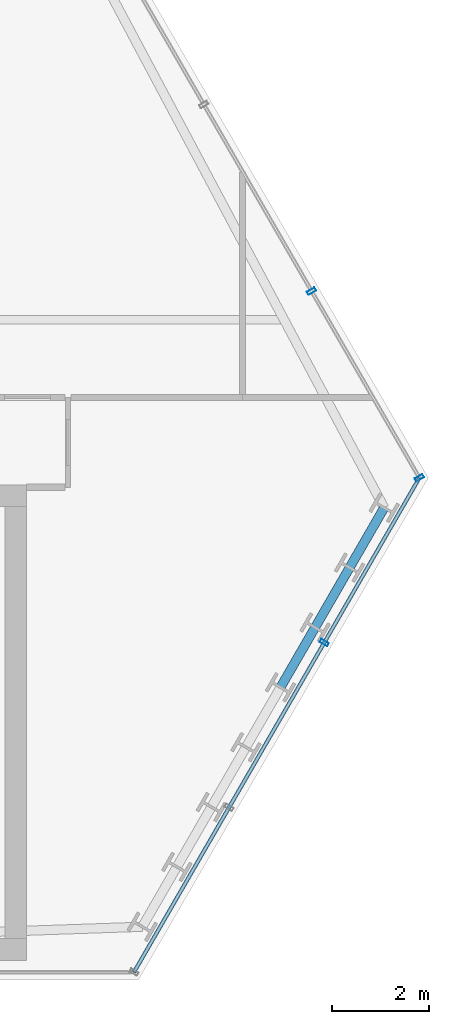
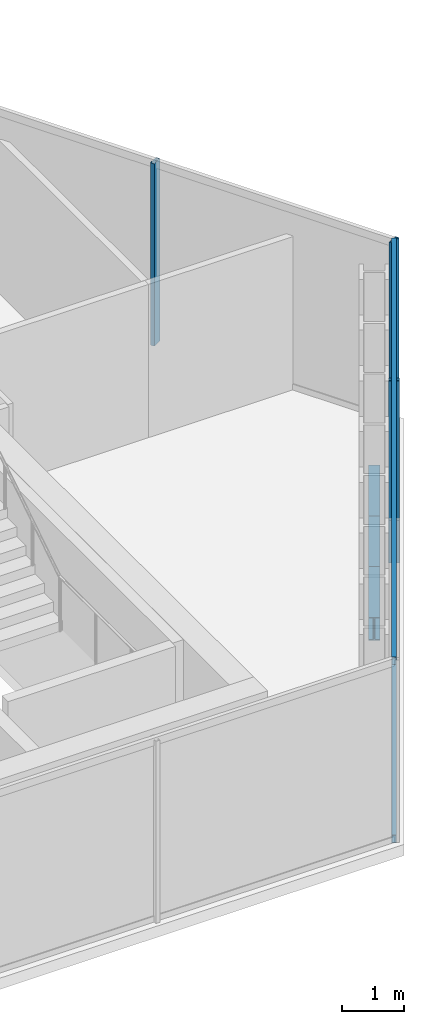
# One storey, part 16 of 31: 5 members, 3 beams, 2 elements without a shape of their own.
"""IFC4 building model written with IfcOpenShell, lengths in metres."""

from ifc_helpers import new_model, si_unit, direction, frame, origin, origin_2d, place, context, subcontext, project, spatial, hollow_rectangle, i_section, extrude, material, layer, layer_set, material_profile, profile_set, type_object, element, aggregate, save


model = new_model("IFC4")

# Units and contexts
model_context = context("Model", 3, precision=1e-05, world=origin(), true_north=direction((0.0, 1.0)))
body_context = subcontext(model_context, "Body", "Model", "MODEL_VIEW")
ifc_project = project(units=[si_unit("LENGTHUNIT", "METRE"), si_unit("AREAUNIT", "SQUARE_METRE"), si_unit("VOLUMEUNIT", "CUBIC_METRE"), si_unit("PLANEANGLEUNIT", "RADIAN"), si_unit("MASSUNIT", "GRAM", prefix="KILO")], contexts=[model_context])

# Site, building, storey
site_placement = place(None, origin())
site = spatial("IfcSite", under=ifc_project, at=site_placement, CompositionType="ELEMENT")
building_placement = place(site_placement, origin())
building = spatial("IfcBuilding", under=site, at=building_placement, Name="Ndaravel Arena Tower", CompositionType="ELEMENT")
storey_placement = place(building_placement, frame((0.0, 0.0, 142.199951171875)))
storey = spatial("IfcBuildingStorey", under=building, at=storey_placement, Name="L33", CompositionType="ELEMENT", Elevation=142.199951171875)

# Beams
ifc_material_1 = material(Name="Steel S355", Category="steel")
ifc_material_profile_1 = material_profile(ifc_material_1, i_section(OverallWidth=0.18994140625, OverallDepth=0.449951171875, WebThickness=0.009521484375, FlangeThickness=0.0146484375, FilletRadius=0.02099609375, at=origin_2d()), Name="IPE 450")
ifc_profile_set_1 = profile_set([ifc_material_profile_1], Name="Steel S355")
beam_type = type_object("IfcBeamType", Name="BM-SPAN-IPE450", PredefinedType="SPANDREL", material=ifc_profile_set_1)
for number, where, z_axis, x_axis, name in (
    (1, (62.77880859375, 11.028076171875, -0.445068359375), (0.499920397431, 0.866071357471, 0.0), (-0.866071357471, 0.499920397431, 0.0), "L33 Perimeter Spandrel Beam SP-06"),
    (2, (63.490478515625, 12.260986328125, -0.445068359375), (0.500049018998, 0.865997100803, 0.0), (-0.865997100803, 0.500049018998, 0.0), "L33 Perimeter Spandrel Beam SP-07"),
    (3, (64.202392578125, 13.493896484375, -0.445068359375), (0.499920397431, 0.866071357471, 0.0), (-0.866071357471, 0.499920397431, 0.0), "L33 Perimeter Spandrel Beam SP-08"),
):
    element("IfcBeam", number, at=place(storey_placement, frame(where, z_axis=z_axis, x_axis=x_axis)), inside=storey, type_object=beam_type, Name=name, PredefinedType="SPANDREL", context=body_context, shape_type="SweptSolid", body=[
        extrude(i_section(OverallWidth=0.18994140625, OverallDepth=0.449951171875, WebThickness=0.009521484375, FlangeThickness=0.0146484375, FilletRadius=0.02099609375, at=origin_2d()), origin(), (0.0, 0.0, 1.0), 1.423583984375),
    ])

# Curtain wall, member
ifc_material_2 = material(Name="Aluminium", Category="aluminium")
ifc_layer_1 = layer(ifc_material_2, 0.179931640625)
ifc_layer_set_1 = layer_set([ifc_layer_1], Name="Aluminium")
curtain_wall_type_1 = type_object("IfcCurtainWallType", Name="CW-SYS-01", PredefinedType="NOTDEFINED", material=ifc_layer_set_1)
curtain_wall_1_placement = place(storey_placement, origin())
curtain_wall_1 = element("IfcCurtainWall", 4, at=curtain_wall_1_placement, inside=storey, type_object=curtain_wall_type_1, Name="L33 Faceted Crystal Curtain Wall CW-L33-E02", PredefinedType="NOTDEFINED")
ifc_material_3 = material(Name="Aluminium", Category="aluminium")
ifc_material_profile_2 = material_profile(ifc_material_3, hollow_rectangle(XDim=0.074951171875, YDim=0.179931640625, WallThickness=0.00390625, at=origin_2d()), Name="CW MULLION 75x180x4")
ifc_profile_set_2 = profile_set([ifc_material_profile_2], Name="Aluminium")
member_type_1 = type_object("IfcMemberType", Name="MEM-CW-MUL180", PredefinedType="MULLION", material=ifc_profile_set_2)
member_1_placement = place(storey_placement, frame((63.6796875, 11.94873046875, 0.0), z_axis=(0.0, 0.0, 1.0), x_axis=(0.5, 0.866025403784, 0.0)))
member_1 = element("IfcMember", 5, at=member_1_placement, type_object=member_type_1, Name="CW-L33-E02 Mullion 02", PredefinedType="MULLION", context=body_context, shape_type="SweptSolid", body=[
    extrude(hollow_rectangle(XDim=0.074951171875, YDim=0.179931640625, WallThickness=0.00390625, at=origin_2d()), origin(), (0.0, 0.0, 1.0), 3.580078125),
])

# Curtain wall, members
ifc_material_4 = material(Name="Aluminium", Category="aluminium")
ifc_layer_2 = layer(ifc_material_4, 0.179931640625)
ifc_layer_set_2 = layer_set([ifc_layer_2], Name="Aluminium")
curtain_wall_type_2 = type_object("IfcCurtainWallType", Name="CW-SYS-03", PredefinedType="NOTDEFINED", material=ifc_layer_set_2)
curtain_wall_2_placement = place(storey_placement, origin())
curtain_wall_2 = element("IfcCurtainWall", 6, at=curtain_wall_2_placement, inside=storey, type_object=curtain_wall_type_2, Name="L33 Faceted Crystal Curtain Wall CW-L33-E03", PredefinedType="NOTDEFINED")
member_2_placement = place(storey_placement, frame((65.639404296875, 15.34326171875, 0.0), z_axis=(0.0, 0.0, 1.0), x_axis=(-0.5, 0.866025403784, 0.0)))
member_2 = element("IfcMember", 7, at=member_2_placement, type_object=member_type_1, Name="CW-L33-E03 Mullion 00", PredefinedType="MULLION", context=body_context, shape_type="SweptSolid", body=[
    extrude(hollow_rectangle(XDim=0.074951171875, YDim=0.179931640625, WallThickness=0.00390625, at=origin_2d()), origin(), (0.0, 0.0, 1.0), 3.580078125),
])
member_3_placement = place(storey_placement, frame((63.41943359375, 19.1884765625, 0.0), z_axis=(0.0, 0.0, 1.0), x_axis=(-0.5, 0.866025403784, 0.0)))
member_3 = element("IfcMember", 8, at=member_3_placement, type_object=member_type_1, Name="CW-L33-E03 Mullion 01", PredefinedType="MULLION", context=body_context, shape_type="SweptSolid", body=[
    extrude(hollow_rectangle(XDim=0.074951171875, YDim=0.179931640625, WallThickness=0.00390625, at=origin_2d()), origin(), (0.0, 0.0, 1.0), 3.580078125),
])
aggregate(curtain_wall_2, [member_2, member_3])

# Member
ifc_material_5 = material(Name="Aluminium", Category="aluminium")
ifc_material_profile_3 = material_profile(ifc_material_5, hollow_rectangle(XDim=0.074951171875, YDim=0.14990234375, WallThickness=0.00390625, at=origin_2d()), Name="CW TRANSOM 75x150x4")
ifc_profile_set_3 = profile_set([ifc_material_profile_3], Name="Aluminium")
member_type_2 = type_object("IfcMemberType", Name="MEM-CW-TRN150", PredefinedType="USERDEFINED", material=ifc_profile_set_3)
member_4_placement = place(storey_placement, frame((59.76025390625, 5.159912109375, 0.0400390625), z_axis=(0.499986653496, 0.866033109255, 0.0), x_axis=(-0.866033109255, 0.499986653496, 0.0)))
member_4 = element("IfcMember", 9, at=member_4_placement, type_object=member_type_2, Name="CW-L33-E02 Transom 01", ObjectType="TRANSOM", PredefinedType="USERDEFINED", context=body_context, shape_type="SweptSolid", body=[
    extrude(hollow_rectangle(XDim=0.074951171875, YDim=0.14990234375, WallThickness=0.00390625, at=origin_2d()), origin(), (0.0, 0.0, 1.0), 11.758544921875),
])

member_5_placement = place(storey_placement, frame((59.76025390625, 5.159912109375, 3.5400390625), z_axis=(0.499986653496, 0.866033109255, 0.0), x_axis=(-0.866033109255, 0.499986653496, 0.0)))
member_5 = element("IfcMember", 10, at=member_5_placement, type_object=member_type_2, Name="CW-L33-E02 Transom 02", ObjectType="TRANSOM", PredefinedType="USERDEFINED", context=body_context, shape_type="SweptSolid", body=[
    extrude(hollow_rectangle(XDim=0.074951171875, YDim=0.14990234375, WallThickness=0.00390625, at=origin_2d()), origin(), (0.0, 0.0, 1.0), 11.758544921875),
])

aggregate(curtain_wall_1, [member_1, member_4, member_5])

save(model, "model.ifc")
